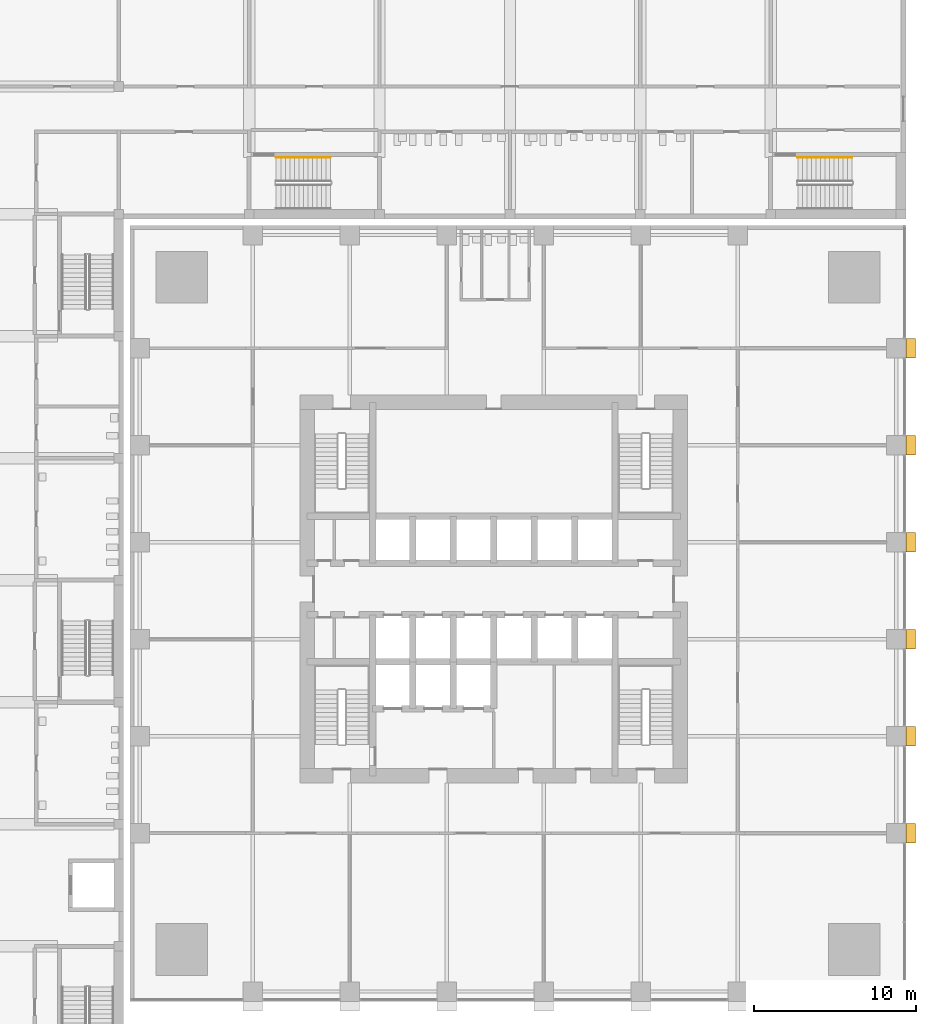
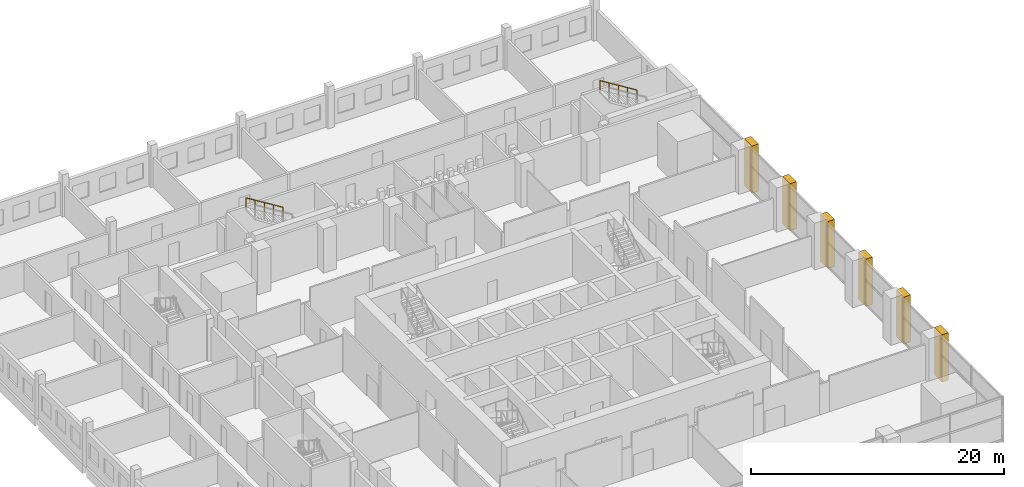
# One storey, part 23 of 24: 6 coverings, 2 railings.
"""IFC4 building model written with IfcOpenShell, lengths in metres."""

from ifc_helpers import new_model, si_unit, direction, frame, origin, origin_2d, place, context, subcontext, project, spatial, polyline, circle, outline, extrude, material, layer, layer_set, type_object, element, save


model = new_model("IFC4")

# Units and contexts
model_context = context("Model", 3, precision=1e-05, world=origin(), true_north=direction((0.0, 1.0)))
body_context = subcontext(model_context, "Body", "Model", "MODEL_VIEW")
ifc_project = project(units=[si_unit("LENGTHUNIT", "METRE"), si_unit("AREAUNIT", "SQUARE_METRE"), si_unit("VOLUMEUNIT", "CUBIC_METRE"), si_unit("PLANEANGLEUNIT", "RADIAN"), si_unit("MASSUNIT", "GRAM", prefix="KILO")], contexts=[model_context])

# Site, building, storey
site_placement = place(None, origin())
site = spatial("IfcSite", under=ifc_project, at=site_placement, CompositionType="ELEMENT")
building_placement = place(site_placement, origin())
building = spatial("IfcBuilding", under=site, at=building_placement, Name="Amberfall Residences", CompositionType="ELEMENT")
storey_placement = place(building_placement, frame((0.0, 0.0, 19.0)))
storey = spatial("IfcBuildingStorey", under=building, at=storey_placement, Name="L04", CompositionType="ELEMENT", Elevation=19.0)

# Coverings
ifc_material_1 = material(Name="Pale stone cladding on insulated backing", Category="masonry")
ifc_layer = layer(ifc_material_1, 1.199951171875)
ifc_layer_set = layer_set([ifc_layer], Name="Podium stone pier 1200 x 600")
covering_type = type_object("IfcCoveringType", Name="Podium stone pier 1200 x 600", PredefinedType="CLADDING", material=ifc_layer_set)
covering_1_placement = place(storey_placement, frame((0.0, 0.0, -0.300048828125)))
element("IfcCovering", 1, at=covering_1_placement, inside=storey, type_object=covering_type, Name="Podium pier L04 E1", PredefinedType="CLADDING", context=body_context, shape_type="SweptSolid", body=[
    extrude(outline(polyline([(100.0, 29.800048828125), (100.0, 31.0), (100.60009765625, 31.0), (100.60009765625, 29.800048828125), (100.0, 29.800048828125)])), origin(), (0.0, 0.0, 1.0), 4.550048828125),
])
covering_2_placement = place(storey_placement, frame((0.0, 0.0, -0.300048828125)))
element("IfcCovering", 2, at=covering_2_placement, inside=storey, type_object=covering_type, Name="Podium pier L04 E2", PredefinedType="CLADDING", context=body_context, shape_type="SweptSolid", body=[
    extrude(outline(polyline([(100.0, 35.800048828125), (100.0, 37.0), (100.60009765625, 37.0), (100.60009765625, 35.800048828125), (100.0, 35.800048828125)])), origin(), (0.0, 0.0, 1.0), 4.550048828125),
])
covering_3_placement = place(storey_placement, frame((0.0, 0.0, -0.300048828125)))
element("IfcCovering", 3, at=covering_3_placement, inside=storey, type_object=covering_type, Name="Podium pier L04 E3", PredefinedType="CLADDING", context=body_context, shape_type="SweptSolid", body=[
    extrude(outline(polyline([(100.0, 41.800048828125), (100.0, 43.0), (100.60009765625, 43.0), (100.60009765625, 41.800048828125), (100.0, 41.800048828125)])), origin(), (0.0, 0.0, 1.0), 4.550048828125),
])
covering_4_placement = place(storey_placement, frame((0.0, 0.0, -0.300048828125)))
element("IfcCovering", 4, at=covering_4_placement, inside=storey, type_object=covering_type, Name="Podium pier L04 E4", PredefinedType="CLADDING", context=body_context, shape_type="SweptSolid", body=[
    extrude(outline(polyline([(100.0, 47.800048828125), (100.0, 49.0), (100.60009765625, 49.0), (100.60009765625, 47.800048828125), (100.0, 47.800048828125)])), origin(), (0.0, 0.0, 1.0), 4.550048828125),
])
covering_5_placement = place(storey_placement, frame((0.0, 0.0, -0.300048828125)))
element("IfcCovering", 5, at=covering_5_placement, inside=storey, type_object=covering_type, Name="Podium pier L04 E5", PredefinedType="CLADDING", context=body_context, shape_type="SweptSolid", body=[
    extrude(outline(polyline([(100.0, 53.800048828125), (100.0, 55.0), (100.60009765625, 55.0), (100.60009765625, 53.800048828125), (100.0, 53.800048828125)])), origin(), (0.0, 0.0, 1.0), 4.550048828125),
])
covering_6_placement = place(storey_placement, frame((0.0, 0.0, -0.300048828125)))
element("IfcCovering", 6, at=covering_6_placement, inside=storey, type_object=covering_type, Name="Podium pier L04 E6", PredefinedType="CLADDING", context=body_context, shape_type="SweptSolid", body=[
    extrude(outline(polyline([(100.0, 59.800048828125), (100.0, 61.0), (100.60009765625, 61.0), (100.60009765625, 59.800048828125), (100.0, 59.800048828125)])), origin(), (0.0, 0.0, 1.0), 4.550048828125),
])

# Railings
ifc_material_2 = material(Name="Stainless steel", Category="steel")
railing_type = type_object("IfcRailingType", Name="School stair handrail", PredefinedType="HANDRAIL", material=ifc_material_2)
railing_1_placement = place(storey_placement, frame((64.402099609375, 72.199951171875, 2.423095703125)))
element("IfcRailing", 7, at=railing_1_placement, inside=storey, type_object=railing_type, Name="L04 SS4 stair handrail 2", PredefinedType="HANDRAIL", context=body_context, shape_type="SweptSolid", body=[
    extrude(circle(Radius=0.02392578125, at=origin_2d()), frame((0.0, 0.0, 0.8759765625), z_axis=(-0.850623216509, 0.0, 0.525775754039), x_axis=(0.0, -1.0, 0.0)), (0.0, 0.0, 1.0), 3.9501953125),
    extrude(circle(Radius=0.02099609375, at=origin_2d()), origin(), (0.0, 0.0, 1.0), 0.851806640625),
    extrude(circle(Radius=0.02099609375, at=origin_2d()), frame((-0.840087890625, 0.0, 0.519287109375)), (0.0, 0.0, 1.0), 0.851806640625),
    extrude(circle(Radius=0.02099609375, at=origin_2d()), frame((-1.68017578125, 0.0, 1.03857421875)), (0.0, 0.0, 1.0), 0.851806640625),
    extrude(circle(Radius=0.02099609375, at=origin_2d()), frame((-2.52001953125, 0.0, 1.5576171875)), (0.0, 0.0, 1.0), 0.851806640625),
    extrude(circle(Radius=0.02099609375, at=origin_2d()), frame((-3.360107421875, 0.0, 2.076904296875)), (0.0, 0.0, 1.0), 0.851806640625),
])
railing_2_placement = place(storey_placement, frame((96.66796875, 72.199951171875, 2.423095703125)))
element("IfcRailing", 8, at=railing_2_placement, inside=storey, type_object=railing_type, Name="L04 SS5 stair handrail 2", PredefinedType="HANDRAIL", context=body_context, shape_type="SweptSolid", body=[
    extrude(circle(Radius=0.02392578125, at=origin_2d()), frame((0.0, 0.0, 0.8759765625), z_axis=(-0.850606129759, 0.0, 0.525803396734), x_axis=(0.0, -1.0, 0.0)), (0.0, 0.0, 1.0), 3.949951171875),
    extrude(circle(Radius=0.02099609375, at=origin_2d()), origin(), (0.0, 0.0, 1.0), 0.851806640625),
    extrude(circle(Radius=0.02099609375, at=origin_2d()), frame((-0.83984375, 0.0, 0.519287109375)), (0.0, 0.0, 1.0), 0.851806640625),
    extrude(circle(Radius=0.02099609375, at=origin_2d()), frame((-1.679931640625, 0.0, 1.03857421875)), (0.0, 0.0, 1.0), 0.851806640625),
    extrude(circle(Radius=0.02099609375, at=origin_2d()), frame((-2.52001953125, 0.0, 1.5576171875)), (0.0, 0.0, 1.0), 0.851806640625),
    extrude(circle(Radius=0.02099609375, at=origin_2d()), frame((-3.35986328125, 0.0, 2.076904296875)), (0.0, 0.0, 1.0), 0.851806640625),
])

save(model, "model.ifc")
